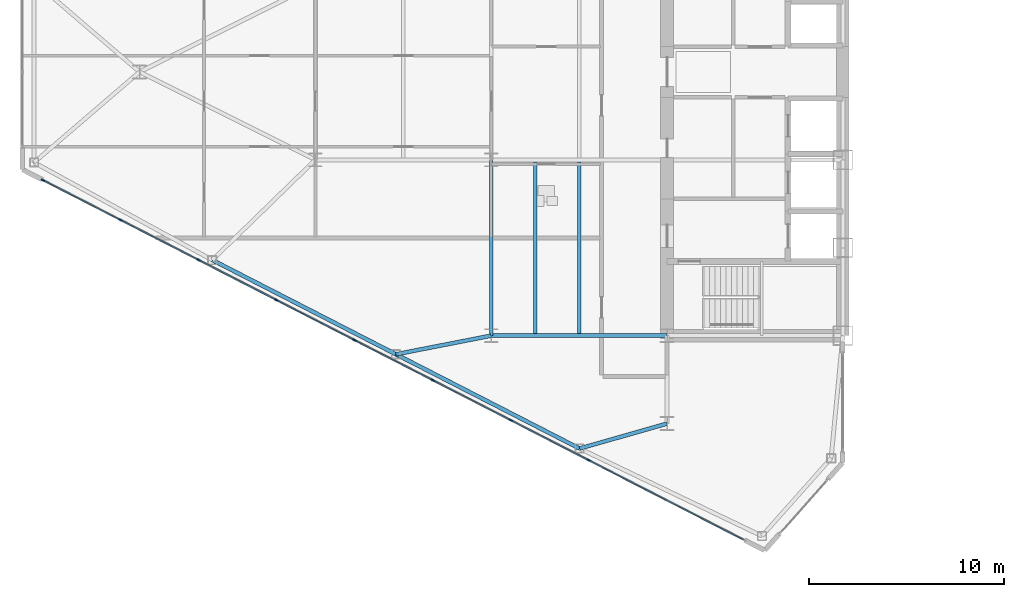
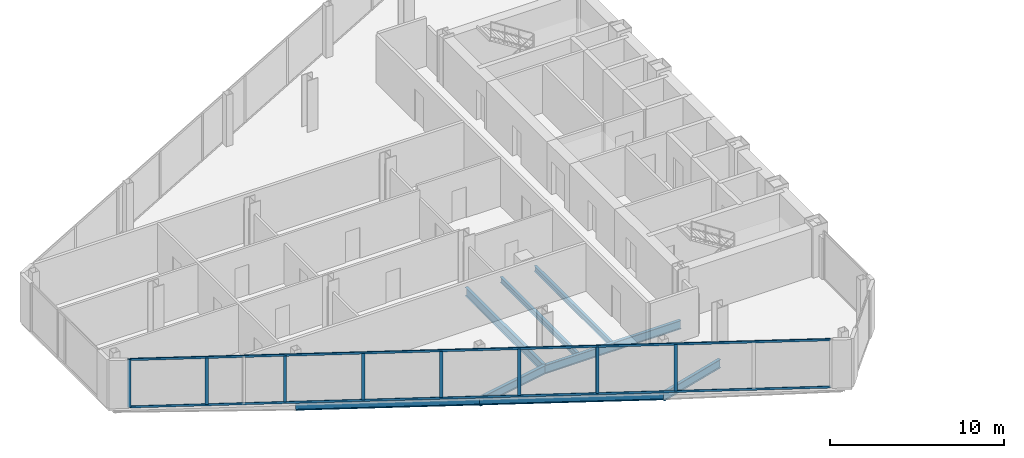
# One storey, part 3 of 23: 10 members, 8 beams, 1 element without a shape of its own.
"""IFC4 building model written with IfcOpenShell, lengths in metres."""

from ifc_helpers import new_model, si_unit, direction, frame, origin, origin_2d, place, context, subcontext, project, spatial, rectangle, i_section, extrude, source, transform, mapped, material, layer, layer_set, material_profile, profile_set, type_object, type_shapes, element, aggregate, save


model = new_model("IFC4")

# Units and contexts
model_context = context("Model", 3, precision=1e-05, world=origin(), true_north=direction((0.0, 1.0)))
body_context = subcontext(model_context, "Body", "Model", "MODEL_VIEW")
ifc_project = project(units=[si_unit("LENGTHUNIT", "METRE"), si_unit("AREAUNIT", "SQUARE_METRE"), si_unit("VOLUMEUNIT", "CUBIC_METRE"), si_unit("PLANEANGLEUNIT", "RADIAN"), si_unit("MASSUNIT", "GRAM", prefix="KILO")], contexts=[model_context])

# Site, building, storey
site_placement = place(None, origin())
site = spatial("IfcSite", under=ifc_project, at=site_placement, CompositionType="ELEMENT")
building_placement = place(site_placement, origin())
building = spatial("IfcBuilding", under=site, at=building_placement, Name="Seokmaru Belvedere", CompositionType="ELEMENT")
storey_placement = place(building_placement, frame((0.0, 0.0, 128.39990234375)))
storey = spatial("IfcBuildingStorey", under=building, at=storey_placement, Name="L34", CompositionType="ELEMENT", Elevation=128.39990234375)

# Beams
ifc_material_1 = material(Name="Steel SM355 (355 MPa)", Category="steel")
ifc_material_profile_1 = material_profile(ifc_material_1, i_section(OverallWidth=0.199951171875, OverallDepth=0.60009765625, WebThickness=0.010986328125, FlangeThickness=0.01708984375, at=origin_2d()), Name="H-600x200x11x17")
ifc_profile_set_1 = profile_set([ifc_material_profile_1], Name="Steel SM355 (355 MPa)")
beam_type_1 = type_object("IfcBeamType", Name="Primary Floor Girder H-600", PredefinedType="BEAM", material=ifc_profile_set_1)
shared_shape_1 = source(origin(), body_context, "Body", "SweptSolid", [
    extrude(i_section(OverallWidth=0.199951171875, OverallDepth=0.60009765625, WebThickness=0.010986328125, FlangeThickness=0.01708984375, at=origin_2d()), origin(), (0.0, 0.0, 1.0), 9.0),
])
for number, where, z_axis, x_axis, name in (
    (1, (-45.5, -13.5, -0.52001953125), (0.0, 1.0, 0.0), (-1.0, 0.0, 0.0), "L34 W Interior Grid Girder 1"),
    (2, (-45.5, -13.5, -0.52001953125), (1.0, 0.0, 0.0), (0.0, 1.0, 0.0), "L34 W Wing Primary Girder 1"),
):
    element("IfcBeam", number, at=place(storey_placement, frame(where, z_axis=z_axis, x_axis=x_axis)), inside=storey, type_object=beam_type_1, Name=name, PredefinedType="BEAM", context=body_context, shape_type="MappedRepresentation", body=[
        mapped(shared_shape_1, transform((0.0, 0.0, 0.0), scale=1.0)),
    ])
ifc_material_profile_2 = material_profile(ifc_material_1, i_section(OverallWidth=0.18505859375, OverallDepth=0.389892578125, WebThickness=0.008056640625, FlangeThickness=0.011962890625, at=origin_2d()), Name="H-390x185x8x12")
ifc_profile_set_2 = profile_set([ifc_material_profile_2], Name="Steel SM355 (355 MPa)")
beam_type_2 = type_object("IfcBeamType", Name="Secondary Floor Joist H-350", PredefinedType="JOIST", material=ifc_profile_set_2)
shared_shape_2 = source(origin(), body_context, "Body", "SweptSolid", [
    extrude(i_section(OverallWidth=0.18505859375, OverallDepth=0.389892578125, WebThickness=0.008056640625, FlangeThickness=0.011962890625, at=origin_2d()), origin(), (0.0, 0.0, 1.0), 8.7900390625),
])
type_shapes(beam_type_2, [shared_shape_2])
for number, where, z_axis, x_axis, name in (
    (3, (-43.25, -13.39501953125, -0.414794921875), (0.0, 1.0, 0.0), (-1.0, 0.0, 0.0), "L34 W Wing Inner Secondary Joist 1"),
    (4, (-41.0, -13.39501953125, -0.414794921875), (0.0, 1.0, 0.0), (-1.0, 0.0, 0.0), "L34 W Secondary Floor Joist 1"),
):
    element("IfcBeam", number, at=place(storey_placement, frame(where, z_axis=z_axis, x_axis=x_axis)), inside=storey, type_object=beam_type_2, Name=name, PredefinedType="JOIST", context=body_context, shape_type="MappedRepresentation", body=[
        mapped(shared_shape_2, transform((0.0, 0.0, 0.0), scale=1.0)),
    ])
ifc_material_profile_3 = material_profile(ifc_material_1, i_section(OverallWidth=0.199951171875, OverallDepth=0.5, WebThickness=0.010009765625, FlangeThickness=0.01611328125, at=origin_2d()), Name="H-500x200x10x16")
ifc_profile_set_3 = profile_set([ifc_material_profile_3], Name="Steel SM355 (355 MPa)")
beam_type_3 = type_object("IfcBeamType", Name="Perimeter Spandrel Beam H-500", PredefinedType="SPANDREL", material=ifc_profile_set_3)
shared_shape_3 = source(origin(), body_context, "Body", "SweptSolid", [
    extrude(i_section(OverallWidth=0.199951171875, OverallDepth=0.5, WebThickness=0.010009765625, FlangeThickness=0.01611328125, at=origin_2d()), origin(), (0.0, 0.0, 1.0), 10.56689453125),
])
type_shapes(beam_type_3, [shared_shape_3])
for number, where, z_axis, x_axis, name in (
    (5, (-40.975830078125, -19.277587890625, -0.469970703125), (-0.889701972758, 0.45654178305, 0.0), (-0.45654178305, -0.889701972758, 0.0), "L34 W Faceted Flank Spandrel S-2"),
    (6, (-50.377197265625, -14.453369140625, -0.469970703125), (-0.889692588006, 0.456560071455, 0.0), (-0.456560071455, -0.889692588006, 0.0), "L34 W Faceted Flank Spandrel S-3"),
):
    element("IfcBeam", number, at=place(storey_placement, frame(where, z_axis=z_axis, x_axis=x_axis)), inside=storey, type_object=beam_type_3, Name=name, PredefinedType="SPANDREL", context=body_context, shape_type="MappedRepresentation", body=[
        mapped(shared_shape_3, transform((0.0, 0.0, 0.0), scale=1.0)),
    ])
shared_shape_4 = source(origin(), body_context, "Body", "SweptSolid", [
    extrude(i_section(OverallWidth=0.199951171875, OverallDepth=0.60009765625, WebThickness=0.010986328125, FlangeThickness=0.01708984375, at=origin_2d()), origin(), (0.0, 0.0, 1.0), 4.654541015625),
])
beam_1_placement = place(storey_placement, frame((-40.975830078125, -19.277587890625, -0.52001953125), z_axis=(0.961593192625, 0.274478654721, 0.0), x_axis=(-0.274478654721, 0.961593192625, 0.0)))
element("IfcBeam", 7, at=beam_1_placement, inside=storey, type_object=beam_type_1, Name="L34 W Flank Radial Floor Girder S-1", PredefinedType="BEAM", context=body_context, shape_type="MappedRepresentation", body=[
    mapped(shared_shape_4, transform((0.0, 0.0, 0.0), scale=1.0)),
])
shared_shape_5 = source(origin(), body_context, "Body", "SweptSolid", [
    extrude(i_section(OverallWidth=0.199951171875, OverallDepth=0.60009765625, WebThickness=0.010986328125, FlangeThickness=0.01708984375, at=origin_2d()), origin(), (0.0, 0.0, 1.0), 4.969482421875),
])
type_shapes(beam_type_1, [shared_shape_1, shared_shape_4, shared_shape_5])
beam_2_placement = place(storey_placement, frame((-50.377197265625, -14.453369140625, -0.52001953125), z_axis=(0.98142544456, 0.19184393858, 0.0), x_axis=(-0.19184393858, 0.98142544456, 0.0)))
element("IfcBeam", 8, at=beam_2_placement, inside=storey, type_object=beam_type_1, Name="L34 W Flank Radial Floor Girder S-2", PredefinedType="BEAM", context=body_context, shape_type="MappedRepresentation", body=[
    mapped(shared_shape_5, transform((0.0, 0.0, 0.0), scale=1.0)),
])

# Curtain wall, members
ifc_material_2 = material(Name="Bronze Triple Insulating Glass", Category="glass")
ifc_layer = layer(ifc_material_2, 0.195068359375)
ifc_layer_set = layer_set([ifc_layer], Name="Bronze Triple Insulating Glass")
curtain_wall_type = type_object("IfcCurtainWallType", Name="Sky-Lobby and Mid-Rise Curtain Wall System CW-4", PredefinedType="NOTDEFINED", material=ifc_layer_set)
curtain_wall_placement = place(storey_placement, origin())
curtain_wall = element("IfcCurtainWall", 9, at=curtain_wall_placement, inside=storey, type_object=curtain_wall_type, Name="L34 Curtain Wall WF5", PredefinedType="NOTDEFINED")
ifc_material_3 = material(Name="Anodised Bronze Aluminium", Category="aluminium")
ifc_material_profile_4 = material_profile(ifc_material_3, rectangle(XDim=0.070068359375, YDim=0.195068359375, at=origin_2d()), Name="CW-M-70x195")
ifc_profile_set_4 = profile_set([ifc_material_profile_4], Name="Anodised Bronze Aluminium")
member_type_1 = type_object("IfcMemberType", Name="Bronze Unitised Mullion 70x195", PredefinedType="MULLION", material=ifc_profile_set_4)
shared_shape_6 = source(origin(), body_context, "Body", "SweptSolid", [
    extrude(rectangle(XDim=0.070068359375, YDim=0.195068359375, at=origin_2d()), origin(), (0.0, 0.0, 1.0), 3.380126953125),
])
member_1_placement = place(storey_placement, frame((-68.44580078125, -5.541015625, 0.0), z_axis=(0.0, 0.0, 1.0), x_axis=(0.456554528263, 0.889695432562, 0.0)))
member_1 = element("IfcMember", 10, at=member_1_placement, type_object=member_type_1, Name="CW:L34:WF5 Mullion 1", PredefinedType="MULLION", context=body_context, shape_type="MappedRepresentation", body=[
    mapped(shared_shape_6, transform((0.0, 0.0, 0.0), scale=1.0)),
])
shared_shape_7 = source(origin(), body_context, "Body", "SweptSolid", [
    extrude(rectangle(XDim=0.070068359375, YDim=0.195068359375, at=origin_2d()), origin(), (0.0, 0.0, 1.0), 3.25),
])
type_shapes(member_type_1, [shared_shape_6, shared_shape_7])
member_2_placement = place(storey_placement, frame((-64.48193359375, -7.574951171875, 0.065185546875), z_axis=(0.0, 0.0, 1.0), x_axis=(0.456554528263, 0.889695432562, 0.0)))
member_2 = element("IfcMember", 11, at=member_2_placement, type_object=member_type_1, Name="CW:L34:WF5 Mullion 2", PredefinedType="MULLION", context=body_context, shape_type="MappedRepresentation", body=[
    mapped(shared_shape_7, transform((0.0, 0.0, 0.0), scale=1.0)),
])
member_3_placement = place(storey_placement, frame((-60.4873046875, -9.625, 0.065185546875), z_axis=(0.0, 0.0, 1.0), x_axis=(0.456554528263, 0.889695432562, 0.0)))
member_3 = element("IfcMember", 12, at=member_3_placement, type_object=member_type_1, Name="CW:L34:WF5 Mullion 3", PredefinedType="MULLION", context=body_context, shape_type="MappedRepresentation", body=[
    mapped(shared_shape_7, transform((0.0, 0.0, 0.0), scale=1.0)),
])
member_4_placement = place(storey_placement, frame((-56.4921875, -11.675048828125, 0.065185546875), z_axis=(0.0, 0.0, 1.0), x_axis=(0.456554528263, 0.889695432562, 0.0)))
member_4 = element("IfcMember", 13, at=member_4_placement, type_object=member_type_1, Name="CW:L34:WF5 Mullion 4", PredefinedType="MULLION", context=body_context, shape_type="MappedRepresentation", body=[
    mapped(shared_shape_7, transform((0.0, 0.0, 0.0), scale=1.0)),
])
member_5_placement = place(storey_placement, frame((-52.497314453125, -13.72509765625, 0.065185546875), z_axis=(0.0, 0.0, 1.0), x_axis=(0.456554528263, 0.889695432562, 0.0)))
member_5 = element("IfcMember", 14, at=member_5_placement, type_object=member_type_1, Name="CW:L34:WF5 Mullion 5", PredefinedType="MULLION", context=body_context, shape_type="MappedRepresentation", body=[
    mapped(shared_shape_7, transform((0.0, 0.0, 0.0), scale=1.0)),
])
member_6_placement = place(storey_placement, frame((-48.502685546875, -15.77490234375, 0.065185546875), z_axis=(0.0, 0.0, 1.0), x_axis=(0.456554528263, 0.889695432562, 0.0)))
member_6 = element("IfcMember", 15, at=member_6_placement, type_object=member_type_1, Name="CW:L34:WF5 Mullion 6", PredefinedType="MULLION", context=body_context, shape_type="MappedRepresentation", body=[
    mapped(shared_shape_7, transform((0.0, 0.0, 0.0), scale=1.0)),
])
member_7_placement = place(storey_placement, frame((-44.5078125, -17.824951171875, 0.065185546875), z_axis=(0.0, 0.0, 1.0), x_axis=(0.456554528263, 0.889695432562, 0.0)))
member_7 = element("IfcMember", 16, at=member_7_placement, type_object=member_type_1, Name="CW:L34:WF5 Mullion 7", PredefinedType="MULLION", context=body_context, shape_type="MappedRepresentation", body=[
    mapped(shared_shape_7, transform((0.0, 0.0, 0.0), scale=1.0)),
])
member_8_placement = place(storey_placement, frame((-40.5126953125, -19.875, 0.065185546875), z_axis=(0.0, 0.0, 1.0), x_axis=(0.456554528263, 0.889695432562, 0.0)))
member_8 = element("IfcMember", 17, at=member_8_placement, type_object=member_type_1, Name="CW:L34:WF5 Mullion 8", PredefinedType="MULLION", context=body_context, shape_type="MappedRepresentation", body=[
    mapped(shared_shape_7, transform((0.0, 0.0, 0.0), scale=1.0)),
])
ifc_material_profile_5 = material_profile(ifc_material_3, rectangle(XDim=0.06494140625, YDim=0.14990234375, at=origin_2d()), Name="CW-T-65x150")
ifc_profile_set_5 = profile_set([ifc_material_profile_5], Name="Anodised Bronze Aluminium")
member_type_2 = type_object("IfcMemberType", Name="Bronze Unitised Transom 65x150", PredefinedType="USERDEFINED", material=ifc_profile_set_5)
shared_shape_8 = source(origin(), body_context, "Body", "SweptSolid", [
    extrude(rectangle(XDim=0.06494140625, YDim=0.14990234375, at=origin_2d()), origin(), (0.0, 0.0, 1.0), 40.271240234375),
])
type_shapes(member_type_2, [shared_shape_8])
member_9_placement = place(storey_placement, frame((-68.41455078125, -5.556884765625, 0.03271484375), z_axis=(0.889693089107, -0.456559094965, 0.0), x_axis=(0.456559094965, 0.889693089107, 0.0)))
member_9 = element("IfcMember", 18, at=member_9_placement, type_object=member_type_2, Name="CW:L34:WF5 Continuous Transom 1", ObjectType="TRANSOM", PredefinedType="USERDEFINED", context=body_context, shape_type="MappedRepresentation", body=[
    mapped(shared_shape_8, transform((0.0, 0.0, 0.0), scale=1.0)),
])
member_10_placement = place(storey_placement, frame((-68.41455078125, -5.556884765625, 3.34765625), z_axis=(0.889693089107, -0.456559094965, 0.0), x_axis=(0.456559094965, 0.889693089107, 0.0)))
member_10 = element("IfcMember", 19, at=member_10_placement, type_object=member_type_2, Name="CW:L34:WF5 Continuous Transom 2", ObjectType="TRANSOM", PredefinedType="USERDEFINED", context=body_context, shape_type="MappedRepresentation", body=[
    mapped(shared_shape_8, transform((0.0, 0.0, 0.0), scale=1.0)),
])
aggregate(curtain_wall, [member_1, member_2, member_3, member_4, member_5, member_6, member_7, member_8, member_9, member_10])

save(model, "model.ifc")
